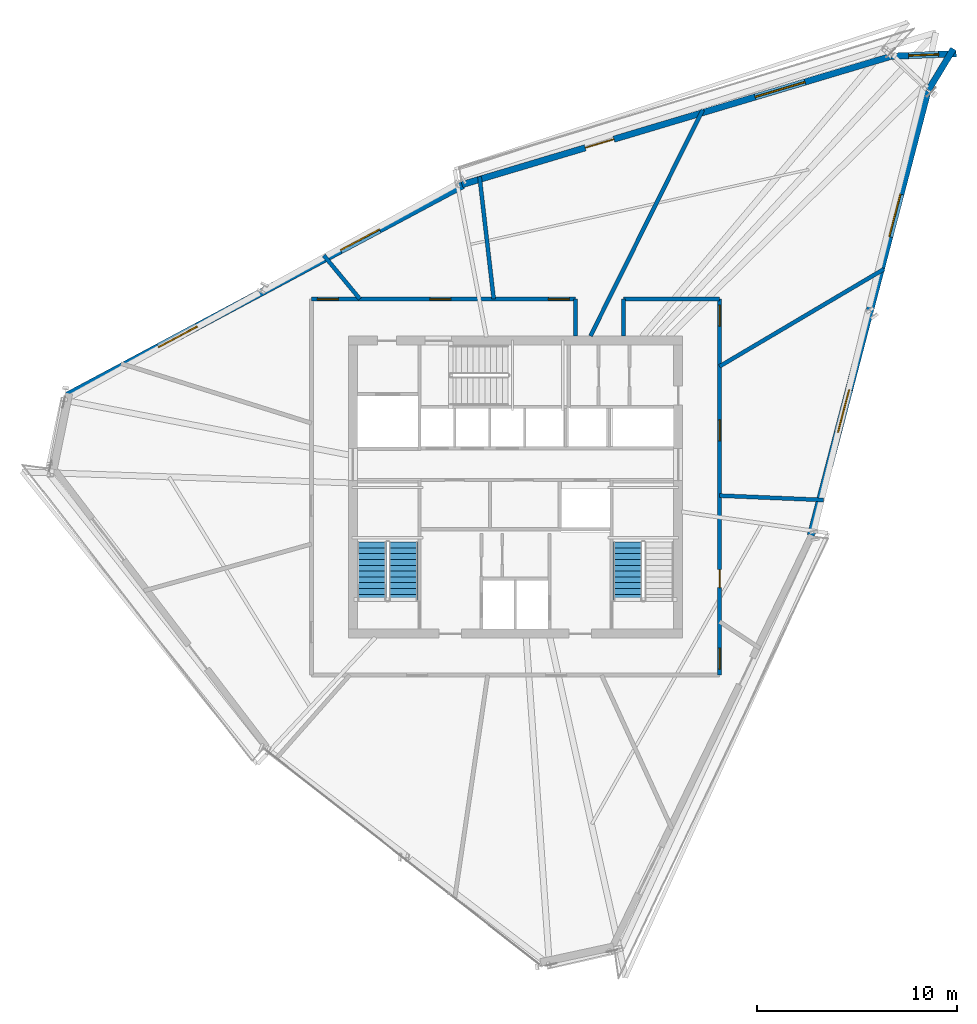
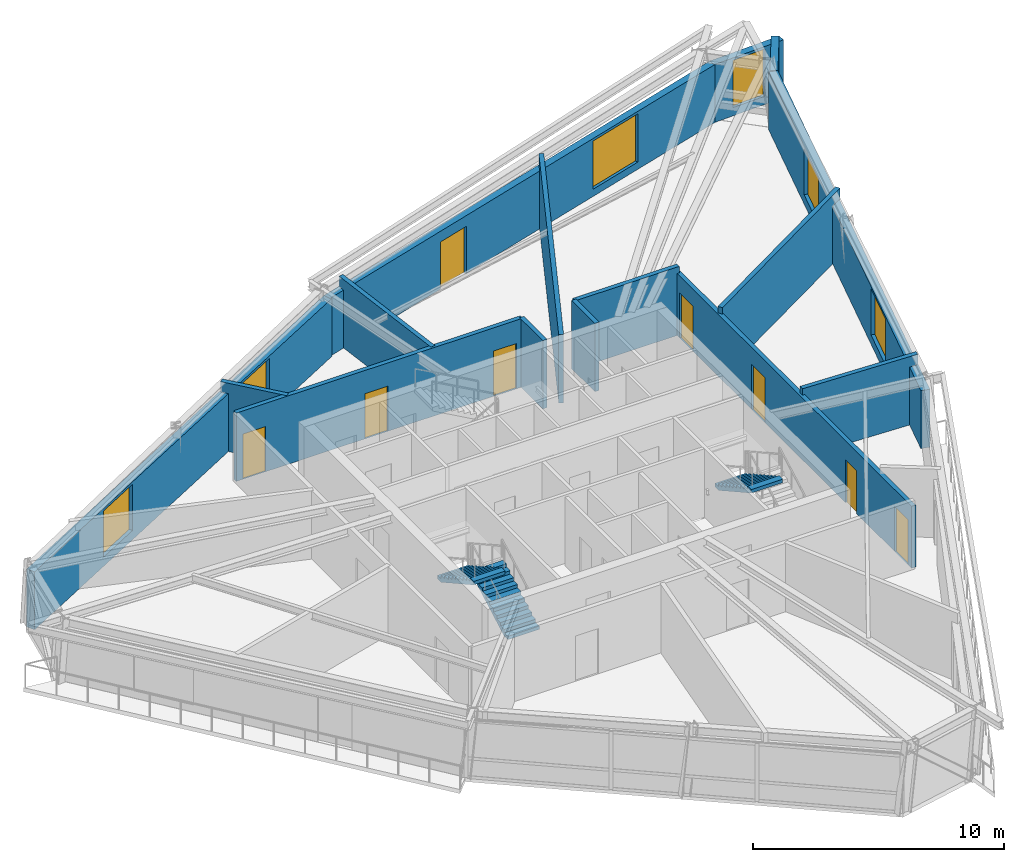
# One storey, part 10 of 14: 15 walls, 8 doors, 6 windows, 3 stair flights, 14 openings, 2 elements without a shape of their own.
"""IFC4 building model written with IfcOpenShell, lengths in metres."""

from ifc_helpers import new_model, si_unit, direction, frame, frame_2d, origin, place, context, subcontext, project, spatial, polyline, rectangle, outline, extrude, source, transform, mapped, material, layer, layer_set, type_object, type_shapes, element, fill, aggregate, save


model = new_model("IFC4")

# Units and contexts
model_context = context("Model", 3, precision=1e-05, world=origin(), true_north=direction((0.0, 1.0)))
body_context = subcontext(model_context, "Body", "Model", "MODEL_VIEW")
ifc_project = project(units=[si_unit("LENGTHUNIT", "METRE"), si_unit("AREAUNIT", "SQUARE_METRE"), si_unit("VOLUMEUNIT", "CUBIC_METRE"), si_unit("PLANEANGLEUNIT", "RADIAN"), si_unit("MASSUNIT", "GRAM", prefix="KILO")], contexts=[model_context])

# Site, building, storey
site_placement = place(None, origin())
site = spatial("IfcSite", under=ifc_project, at=site_placement, CompositionType="ELEMENT")
building_placement = place(site_placement, origin())
building = spatial("IfcBuilding", under=site, at=building_placement, Name="Olszyna Solenne Hotel", CompositionType="ELEMENT")
storey_placement = place(building_placement, frame((0.0, 0.0, 223.800048828125)))
storey = spatial("IfcBuildingStorey", under=building, at=storey_placement, Name="L59", CompositionType="ELEMENT", Elevation=223.800048828125)

# Wall, openings, door, window
ifc_material_1 = material(Name="Precast concrete C45/55", Category="concrete")
ifc_layer_1 = layer(ifc_material_1, 0.320068359375, Name="Precast concrete C45/55")
ifc_layer_set_1 = layer_set([ifc_layer_1], Name="Precast concrete C45/55")
wall_type_1 = type_object("IfcWallType", Name="WL-EX320", PredefinedType="SOLIDWALL", material=ifc_layer_set_1)
wall_1_placement = place(storey_placement, frame((35.327880859375, 41.718017578125, 0.0), z_axis=(0.0, 0.0, 1.0), x_axis=(0.958068349803, 0.286539765313, 0.0)))
wall_1 = element("IfcWall", 1, at=wall_1_placement, inside=storey, type_object=wall_type_1, Name="Exterior terracotta-precast frame wall WL-EX320 EW-L59-07", PredefinedType="SOLIDWALL", context=body_context, shape_type="SweptSolid", body=[
    extrude(rectangle(XDim=22.425537109375, YDim=0.320068359375, at=frame_2d((11.212890625, 0.0))), origin(), (0.0, 0.0, 1.0), 2.822021484375),
])
opening_1_placement = place(wall_1_placement, frame((6.426025390625, 0.0, 0.0)))
opening_1 = element("IfcOpeningElement", 2, at=opening_1_placement, cuts=wall_1, Name="Opening LDG-L59-1", PredefinedType="OPENING", context=body_context, shape_type="SweptSolid", body=[
    extrude(rectangle(XDim=1.5, YDim=2.300048828125, at=frame_2d((0.75, 1.14990234375))), frame((0.0, 0.169921875, 0.0), z_axis=(0.0, -1.0, 0.0), x_axis=(1.0, 0.0, 0.0)), (0.0, 0.0, 1.0), 0.340087890625),
])
opening_2_placement = place(wall_1_placement, frame((15.294921875, 0.0, 0.35205078125)))
opening_2 = element("IfcOpeningElement", 3, at=opening_2_placement, cuts=wall_1, Name="Opening WN-L59-384", PredefinedType="OPENING", context=body_context, shape_type="SweptSolid", body=[
    extrude(rectangle(XDim=2.60009765625, YDim=2.35009765625, at=frame_2d((1.300048828125, 1.175048828125))), frame((0.0, 0.169921875, 0.0), z_axis=(0.0, -1.0, 0.0), x_axis=(1.0, 0.0, 0.0)), (0.0, 0.0, 1.0), 0.340087890625),
])
ifc_material_2 = material(Name="Anodised bronze aluminium", Category="aluminium")
door_type_1 = type_object("IfcDoorType", Name="DR-LG2", OperationType="DOUBLE_DOOR_SINGLE_SWING", PredefinedType="DOOR", material=ifc_material_2)
shared_shape_1 = source(origin(), body_context, "Body", "SweptSolid", [
    extrude(rectangle(XDim=1.5, YDim=2.300048828125, at=frame_2d((0.75, 1.14990234375))), frame((0.0, 0.02490234375, 0.0), z_axis=(0.0, -1.0, 0.0), x_axis=(1.0, 0.0, 0.0)), (0.0, 0.0, 1.0), 0.050048828125),
])
type_shapes(door_type_1, [shared_shape_1])
door_1_placement = place(opening_1_placement, origin())
door_1 = element("IfcDoor", 4, at=door_1_placement, inside=storey, type_object=door_type_1, Name="Exterior loggia balcony door DR-LG2 LDG-L59-1", OperationType="DOUBLE_DOOR_SINGLE_SWING", OverallHeight=2.300048828125, OverallWidth=1.5, PredefinedType="DOOR", context=body_context, shape_type="MappedRepresentation", body=[
    mapped(shared_shape_1, transform((0.0, 0.0, 0.0), x_axis=(1.0, 0.0, 0.0), y_axis=(0.0, 1.0, 0.0), z_axis=(0.0, 0.0, 1.0), scale=1.0)),
])
fill(opening_1, door_1)
ifc_material_3 = material(Name="Low-E triple glazing", Category="glass")
window_type_1 = type_object("IfcWindowType", Name="WN-ST1", PartitioningType="SINGLE_PANEL", PredefinedType="WINDOW", material=ifc_material_3)
shared_shape_2 = source(origin(), body_context, "Body", "SweptSolid", [
    extrude(rectangle(XDim=2.60009765625, YDim=2.35009765625, at=frame_2d((1.300048828125, 1.175048828125))), frame((0.0, 0.030029296875, 0.0), z_axis=(0.0, -1.0, 0.0), x_axis=(1.0, 0.0, 0.0)), (0.0, 0.0, 1.0), 0.06005859375),
])
type_shapes(window_type_1, [shared_shape_2])
window_1_placement = place(opening_2_placement, origin())
window_1 = element("IfcWindow", 5, at=window_1_placement, inside=storey, type_object=window_type_1, Name="Loggia room window WN-ST1 WN-L59-384", OverallHeight=2.35009765625, OverallWidth=2.60009765625, PartitioningType="SINGLE_PANEL", PredefinedType="WINDOW", context=body_context, shape_type="MappedRepresentation", body=[
    mapped(shared_shape_2, transform((0.0, 0.0, 0.0), x_axis=(1.0, 0.0, 0.0), y_axis=(0.0, 1.0, 0.0), z_axis=(0.0, 0.0, 1.0), scale=1.0)),
])
fill(opening_2, window_1)

# Wall, opening, window
wall_2_placement = place(storey_placement, frame((56.773193359375, 48.13720703125, 0.0), z_axis=(0.0, 0.0, 1.0), x_axis=(0.999302372167, 0.03734660603, 0.0)))
wall_2 = element("IfcWall", 6, at=wall_2_placement, inside=storey, type_object=wall_type_1, Name="Exterior terracotta-precast frame wall WL-EX320 EW-L59-08", PredefinedType="SOLIDWALL", context=body_context, shape_type="SweptSolid", body=[
    extrude(rectangle(XDim=3.261962890625, YDim=0.320068359375, at=frame_2d((1.630859375, 0.0))), origin(), (0.0, 0.0, 1.0), 2.822021484375),
])
opening_3_placement = place(wall_2_placement, frame((0.881103515625, 0.0, 0.402099609375)))
opening_3 = element("IfcOpeningElement", 7, at=opening_3_placement, cuts=wall_2, Name="Opening WN-L59-385", PredefinedType="OPENING", context=body_context, shape_type="SweptSolid", body=[
    extrude(rectangle(XDim=1.5, YDim=2.300048828125, at=frame_2d((0.75, 1.14990234375))), frame((0.0, 0.169921875, 0.0), z_axis=(0.0, -1.0, 0.0), x_axis=(1.0, 0.0, 0.0)), (0.0, 0.0, 1.0), 0.340087890625),
])
window_type_2 = type_object("IfcWindowType", Name="WN-CH1", PartitioningType="SINGLE_PANEL", PredefinedType="WINDOW", material=ifc_material_3)
shared_shape_3 = source(origin(), body_context, "Body", "SweptSolid", [
    extrude(rectangle(XDim=1.5, YDim=2.300048828125, at=frame_2d((0.75, 1.14990234375))), frame((0.0, 0.030029296875, 0.0), z_axis=(0.0, -1.0, 0.0), x_axis=(1.0, 0.0, 0.0)), (0.0, 0.0, 1.0), 0.06005859375),
])
type_shapes(window_type_2, [shared_shape_3])
window_2_placement = place(opening_3_placement, origin())
window_2 = element("IfcWindow", 8, at=window_2_placement, inside=storey, type_object=window_type_2, Name="Exterior facade window WN-CH1 WN-L59-385", OverallHeight=2.300048828125, OverallWidth=1.5, PartitioningType="SINGLE_PANEL", PredefinedType="WINDOW", context=body_context, shape_type="MappedRepresentation", body=[
    mapped(shared_shape_3, transform((0.0, 0.0, 0.0), x_axis=(1.0, 0.0, 0.0), y_axis=(0.0, 1.0, 0.0), z_axis=(0.0, 0.0, 1.0), scale=1.0)),
])
fill(opening_3, window_2)

# Wall
wall_3_placement = place(storey_placement, frame((59.89013671875, 48.501953125, 0.0), z_axis=(0.0, 0.0, 1.0), x_axis=(-0.518454432152, -0.855105257721, 0.0)))
element("IfcWall", 9, at=wall_3_placement, inside=storey, type_object=wall_type_1, Name="Exterior terracotta-precast frame wall WL-EX320 EW-L59-09", PredefinedType="SOLIDWALL", context=body_context, shape_type="SweptSolid", body=[
    extrude(rectangle(XDim=2.4091796875, YDim=0.320068359375, at=frame_2d((1.20458984375, 0.0))), origin(), (0.0, 0.0, 1.0), 2.822021484375),
])

# Wall, openings, windows
ifc_material_4 = material(Name="Terracotta cladding on precast concrete C45/55", Category="masonry")
ifc_layer_2 = layer(ifc_material_4, 0.3798828125, Name="Terracotta cladding on precast concrete C45/55")
ifc_layer_set_2 = layer_set([ifc_layer_2], Name="Terracotta cladding on precast concrete C45/55")
wall_type_2 = type_object("IfcWallType", Name="WL-EX380", PredefinedType="SOLIDWALL", material=ifc_layer_set_2)
wall_4_placement = place(storey_placement, frame((15.581298828125, 31.156005859375, 0.0), z_axis=(0.0, 0.0, 1.0), x_axis=(0.882484000586, 0.470342416448, 0.0)))
wall_4 = element("IfcWall", 10, at=wall_4_placement, inside=storey, type_object=wall_type_2, Name="Exterior terracotta-precast frame wall WL-EX380 EW-L59-06", PredefinedType="SOLIDWALL", context=body_context, shape_type="SweptSolid", body=[
    extrude(rectangle(XDim=22.42529296875, YDim=0.3798828125, at=frame_2d((11.212646484375, 0.0))), origin(), (0.0, 0.0, 1.0), 2.822021484375),
])
opening_4_placement = place(wall_4_placement, frame((5.178955078125, 0.0, 0.451904296875)))
opening_4 = element("IfcOpeningElement", 11, at=opening_4_placement, cuts=wall_4, Name="Opening WN-L59-382", PredefinedType="OPENING", context=body_context, shape_type="SweptSolid", body=[
    extrude(rectangle(XDim=2.199951171875, YDim=2.25, at=frame_2d((1.10009765625, 1.125))), frame((0.0, 0.199951171875, 0.0), z_axis=(0.0, -1.0, 0.0), x_axis=(1.0, 0.0, 0.0)), (0.0, 0.0, 1.0), 0.39990234375),
])
opening_5_placement = place(wall_4_placement, frame((15.49609375, 0.0, 0.451904296875)))
opening_5 = element("IfcOpeningElement", 12, at=opening_5_placement, cuts=wall_4, Name="Opening WN-L59-383", PredefinedType="OPENING", context=body_context, shape_type="SweptSolid", body=[
    extrude(rectangle(XDim=2.199951171875, YDim=2.25, at=frame_2d((1.10009765625, 1.125))), frame((0.0, 0.199951171875, 0.0), z_axis=(0.0, -1.0, 0.0), x_axis=(1.0, 0.0, 0.0)), (0.0, 0.0, 1.0), 0.39990234375),
])
window_type_3 = type_object("IfcWindowType", Name="WN-HT2", PartitioningType="SINGLE_PANEL", PredefinedType="WINDOW", material=ifc_material_3)
shared_shape_4 = source(origin(), body_context, "Body", "SweptSolid", [
    extrude(rectangle(XDim=2.199951171875, YDim=2.25, at=frame_2d((1.10009765625, 1.125))), frame((0.0, 0.030029296875, 0.0), z_axis=(0.0, -1.0, 0.0), x_axis=(1.0, 0.0, 0.0)), (0.0, 0.0, 1.0), 0.06005859375),
])
type_shapes(window_type_3, [shared_shape_4])
window_3_placement = place(opening_4_placement, origin())
window_3 = element("IfcWindow", 13, at=window_3_placement, inside=storey, type_object=window_type_3, Name="Exterior facade window WN-HT2 WN-L59-382", OverallHeight=2.25, OverallWidth=2.199951171875, PartitioningType="SINGLE_PANEL", PredefinedType="WINDOW", context=body_context, shape_type="MappedRepresentation", body=[
    mapped(shared_shape_4, transform((0.0, 0.0, 0.0), x_axis=(1.0, 0.0, 0.0), y_axis=(0.0, 1.0, 0.0), z_axis=(0.0, 0.0, 1.0), scale=1.0)),
])
fill(opening_4, window_3)
window_4_placement = place(opening_5_placement, origin())
window_4 = element("IfcWindow", 14, at=window_4_placement, inside=storey, type_object=window_type_3, Name="Exterior facade window WN-HT2 WN-L59-383", OverallHeight=2.25, OverallWidth=2.199951171875, PartitioningType="SINGLE_PANEL", PredefinedType="WINDOW", context=body_context, shape_type="MappedRepresentation", body=[
    mapped(shared_shape_4, transform((0.0, 0.0, 0.0), x_axis=(1.0, 0.0, 0.0), y_axis=(0.0, 1.0, 0.0), z_axis=(0.0, 0.0, 1.0), scale=1.0)),
])
fill(opening_5, window_4)

wall_5_placement = place(storey_placement, frame((58.59423828125, 46.406982421875, 0.0), z_axis=(0.0, 0.0, 1.0), x_axis=(-0.253530518145, -0.96732738841, 0.0)))
wall_5 = element("IfcWall", 15, at=wall_5_placement, inside=storey, type_object=wall_type_2, Name="Exterior terracotta-precast frame wall WL-EX380 EW-L59-10", PredefinedType="SOLIDWALL", context=body_context, shape_type="SweptSolid", body=[
    extrude(rectangle(XDim=22.982177734375, YDim=0.3798828125, at=frame_2d((11.4912109375, 0.0))), origin(), (0.0, 0.0, 1.0), 2.822021484375),
])
opening_6_placement = place(wall_5_placement, frame((5.3349609375, 0.0, 0.451904296875)))
opening_6 = element("IfcOpeningElement", 16, at=opening_6_placement, cuts=wall_5, Name="Opening WN-L59-386", PredefinedType="OPENING", context=body_context, shape_type="SweptSolid", body=[
    extrude(rectangle(XDim=2.199951171875, YDim=2.25, at=frame_2d((1.10009765625, 1.125))), frame((0.0, 0.199951171875, 0.0), z_axis=(0.0, -1.0, 0.0), x_axis=(1.0, 0.0, 0.0)), (0.0, 0.0, 1.0), 0.39990234375),
])
opening_7_placement = place(wall_5_placement, frame((15.447021484375, 0.0, 0.451904296875)))
opening_7 = element("IfcOpeningElement", 17, at=opening_7_placement, cuts=wall_5, Name="Opening WN-L59-387", PredefinedType="OPENING", context=body_context, shape_type="SweptSolid", body=[
    extrude(rectangle(XDim=2.199951171875, YDim=2.25, at=frame_2d((1.10009765625, 1.125))), frame((0.0, 0.199951171875, 0.0), z_axis=(0.0, -1.0, 0.0), x_axis=(1.0, 0.0, 0.0)), (0.0, 0.0, 1.0), 0.39990234375),
])
window_5_placement = place(opening_6_placement, origin())
window_5 = element("IfcWindow", 18, at=window_5_placement, inside=storey, type_object=window_type_3, Name="Exterior facade window WN-HT2 WN-L59-386", OverallHeight=2.25, OverallWidth=2.199951171875, PartitioningType="SINGLE_PANEL", PredefinedType="WINDOW", context=body_context, shape_type="MappedRepresentation", body=[
    mapped(shared_shape_4, transform((0.0, 0.0, 0.0), x_axis=(1.0, 0.0, 0.0), y_axis=(0.0, 1.0, 0.0), z_axis=(0.0, 0.0, 1.0), scale=1.0)),
])
fill(opening_6, window_5)
window_6_placement = place(opening_7_placement, origin())
window_6 = element("IfcWindow", 19, at=window_6_placement, inside=storey, type_object=window_type_3, Name="Exterior facade window WN-HT2 WN-L59-387", OverallHeight=2.25, OverallWidth=2.199951171875, PartitioningType="SINGLE_PANEL", PredefinedType="WINDOW", context=body_context, shape_type="MappedRepresentation", body=[
    mapped(shared_shape_4, transform((0.0, 0.0, 0.0), x_axis=(1.0, 0.0, 0.0), y_axis=(0.0, 1.0, 0.0), z_axis=(0.0, 0.0, 1.0), scale=1.0)),
])
fill(opening_7, window_6)

# Walls
ifc_material_5 = material(Name="Acoustic gypsum partition", Category="gypsum")
ifc_layer_3 = layer(ifc_material_5, 0.199951171875, Name="Acoustic gypsum partition")
ifc_layer_set_3 = layer_set([ifc_layer_3], Name="Acoustic gypsum partition")
wall_type_3 = type_object("IfcWallType", Name="WL-PT200", PredefinedType="PARTITIONING", material=ifc_layer_set_3)
wall_6_placement = place(storey_placement, frame((48.199951171875, 26.172607421875, 0.0), z_axis=(0.0, 0.0, 1.0), x_axis=(0.999121979666, -0.041895939512, 0.0)))
element("IfcWall", 20, at=wall_6_placement, inside=storey, type_object=wall_type_3, Name="Interior acoustic partition WL-PT200 PW-L59-3279", PredefinedType="PARTITIONING", context=body_context, shape_type="SweptSolid", body=[
    extrude(rectangle(XDim=5.203857421875, YDim=0.199951171875, at=frame_2d((2.60205078125, 0.0))), origin(), (0.0, 0.0, 1.0), 3.329833984375),
])
wall_7_placement = place(storey_placement, frame((48.199951171875, 32.63232421875, 0.0), z_axis=(0.0, 0.0, 1.0), x_axis=(0.860740290166, 0.509044352571, 0.0)))
element("IfcWall", 21, at=wall_7_placement, inside=storey, type_object=wall_type_3, Name="Interior acoustic partition WL-PT200 PW-L59-3280", PredefinedType="PARTITIONING", context=body_context, shape_type="SweptSolid", body=[
    extrude(rectangle(XDim=9.5546875, YDim=0.199951171875, at=frame_2d((4.77734375, 0.0))), origin(), (0.0, 0.0, 1.0), 3.329833984375),
])
wall_8_placement = place(storey_placement, frame((41.747802734375, 34.14990234375, 0.0), z_axis=(0.0, 0.0, 1.0), x_axis=(0.44463448422, 0.895712105222, 0.0)))
element("IfcWall", 22, at=wall_8_placement, inside=storey, type_object=wall_type_3, Name="Interior acoustic partition WL-PT200 PW-L59-3281", PredefinedType="PARTITIONING", context=body_context, shape_type="SweptSolid", body=[
    extrude(rectangle(XDim=12.617919921875, YDim=0.199951171875, at=frame_2d((6.30908203125, 0.0))), origin(), (0.0, 0.0, 1.0), 3.329833984375),
])
wall_9_placement = place(storey_placement, frame((36.912353515625, 36.0, 0.0), z_axis=(0.0, 0.0, 1.0), x_axis=(-0.114952203338, 0.993371023811, 0.0)))
element("IfcWall", 23, at=wall_9_placement, inside=storey, type_object=wall_type_3, Name="Interior acoustic partition WL-PT200 PW-L59-3282", PredefinedType="PARTITIONING", context=body_context, shape_type="SweptSolid", body=[
    extrude(rectangle(XDim=6.156982421875, YDim=0.199951171875, at=frame_2d((3.07861328125, 0.0))), origin(), (0.0, 0.0, 1.0), 3.329833984375),
])
wall_10_placement = place(storey_placement, frame((30.2236328125, 36.0, 0.0), z_axis=(0.0, 0.0, 1.0), x_axis=(-0.637396404574, 0.770536062386, 0.0)))
element("IfcWall", 24, at=wall_10_placement, inside=storey, type_object=wall_type_3, Name="Interior acoustic partition WL-PT200 PW-L59-3283", PredefinedType="PARTITIONING", context=body_context, shape_type="SweptSolid", body=[
    extrude(rectangle(XDim=2.829345703125, YDim=0.199951171875, at=frame_2d((1.41455078125, 0.0))), origin(), (0.0, 0.0, 1.0), 3.329833984375),
])

# Wall, openings, doors
wall_11_placement = place(storey_placement, frame((27.800048828125, 36.0, 0.0), z_axis=(0.0, 0.0, 1.0), x_axis=(1.0, 0.0, 0.0)))
wall_11 = element("IfcWall", 25, at=wall_11_placement, inside=storey, type_object=wall_type_3, Name="Interior acoustic partition WL-PT200 PW-L59-3292", PredefinedType="PARTITIONING", context=body_context, shape_type="SweptSolid", body=[
    extrude(rectangle(XDim=13.199951171875, YDim=0.199951171875, at=frame_2d((6.60009765625, 0.0))), origin(), (0.0, 0.0, 1.0), 3.329833984375),
])
opening_8_placement = place(wall_11_placement, frame((11.85009765625, 0.0, 0.0)))
opening_8 = element("IfcOpeningElement", 26, at=opening_8_placement, cuts=wall_11, Name="Opening DR-L59-0799", PredefinedType="OPENING", context=body_context, shape_type="SweptSolid", body=[
    extrude(rectangle(XDim=1.050048828125, YDim=2.199951171875, at=frame_2d((0.52490234375, 1.10009765625))), frame((0.0, 0.10986328125, 0.0), z_axis=(0.0, -1.0, 0.0), x_axis=(1.0, 0.0, 0.0)), (0.0, 0.0, 1.0), 0.219970703125),
])
opening_9_placement = place(wall_11_placement, frame((5.923095703125, 0.0, 0.0)))
opening_9 = element("IfcOpeningElement", 27, at=opening_9_placement, cuts=wall_11, Name="Opening DR-L59-0800", PredefinedType="OPENING", context=body_context, shape_type="SweptSolid", body=[
    extrude(rectangle(XDim=1.050048828125, YDim=2.199951171875, at=frame_2d((0.52490234375, 1.10009765625))), frame((0.0, 0.10986328125, 0.0), z_axis=(0.0, -1.0, 0.0), x_axis=(1.0, 0.0, 0.0)), (0.0, 0.0, 1.0), 0.219970703125),
])
opening_10_placement = place(wall_11_placement, frame((0.300048828125, 0.0, 0.0)))
opening_10 = element("IfcOpeningElement", 28, at=opening_10_placement, cuts=wall_11, Name="Opening DR-L59-0801", PredefinedType="OPENING", context=body_context, shape_type="SweptSolid", body=[
    extrude(rectangle(XDim=1.050048828125, YDim=2.199951171875, at=frame_2d((0.52490234375, 1.10009765625))), frame((0.0, 0.10986328125, 0.0), z_axis=(0.0, -1.0, 0.0), x_axis=(1.0, 0.0, 0.0)), (0.0, 0.0, 1.0), 0.219970703125),
])
ifc_material_6 = material(Name="Timber hardwood", Category="wood")
door_type_2 = type_object("IfcDoorType", Name="DR-RM2", OperationType="NOTDEFINED", PredefinedType="DOOR", material=ifc_material_6)
shared_shape_5 = source(origin(), body_context, "Body", "SweptSolid", [
    extrude(rectangle(XDim=1.050048828125, YDim=2.199951171875, at=frame_2d((0.52490234375, 1.10009765625))), frame((0.0, 0.02490234375, 0.0), z_axis=(0.0, -1.0, 0.0), x_axis=(1.0, 0.0, 0.0)), (0.0, 0.0, 1.0), 0.050048828125),
])
type_shapes(door_type_2, [shared_shape_5])
door_2_placement = place(opening_8_placement, origin())
door_2 = element("IfcDoor", 29, at=door_2_placement, inside=storey, type_object=door_type_2, Name="Private Business Office Entrance Door DR-L59-0799", OperationType="SINGLE_SWING_RIGHT", OverallHeight=2.199951171875, OverallWidth=1.050048828125, PredefinedType="DOOR", context=body_context, shape_type="MappedRepresentation", body=[
    mapped(shared_shape_5, transform((0.0, 0.0, 0.0), x_axis=(1.0, 0.0, 0.0), y_axis=(0.0, 1.0, 0.0), z_axis=(0.0, 0.0, 1.0), scale=1.0)),
])
fill(opening_8, door_2)
door_3_placement = place(opening_9_placement, origin())
door_3 = element("IfcDoor", 30, at=door_3_placement, inside=storey, type_object=door_type_2, Name="Private Business Office Entrance Door DR-L59-0800", OperationType="SINGLE_SWING_LEFT", OverallHeight=2.199951171875, OverallWidth=1.050048828125, PredefinedType="DOOR", context=body_context, shape_type="MappedRepresentation", body=[
    mapped(shared_shape_5, transform((0.0, 0.0, 0.0), x_axis=(1.0, 0.0, 0.0), y_axis=(0.0, 1.0, 0.0), z_axis=(0.0, 0.0, 1.0), scale=1.0)),
])
fill(opening_9, door_3)
door_4_placement = place(opening_10_placement, origin())
door_4 = element("IfcDoor", 31, at=door_4_placement, inside=storey, type_object=door_type_2, Name="Private Business Office Entrance Door DR-L59-0801", OperationType="SINGLE_SWING_RIGHT", OverallHeight=2.199951171875, OverallWidth=1.050048828125, PredefinedType="DOOR", context=body_context, shape_type="MappedRepresentation", body=[
    mapped(shared_shape_5, transform((0.0, 0.0, 0.0), x_axis=(1.0, 0.0, 0.0), y_axis=(0.0, 1.0, 0.0), z_axis=(0.0, 0.0, 1.0), scale=1.0)),
])
fill(opening_10, door_4)

# Walls
wall_12_placement = place(storey_placement, frame((41.0, 34.14990234375, 0.0), z_axis=(0.0, 0.0, 1.0), x_axis=(0.0, 1.0, 0.0)))
element("IfcWall", 32, at=wall_12_placement, inside=storey, type_object=wall_type_3, Name="Interior acoustic partition WL-PT200 PW-L59-3293", PredefinedType="PARTITIONING", context=body_context, shape_type="SweptSolid", body=[
    extrude(rectangle(XDim=1.85009765625, YDim=0.199951171875, at=frame_2d((0.925048828125, 0.0))), origin(), (0.0, 0.0, 1.0), 3.329833984375),
])
wall_13_placement = place(storey_placement, frame((43.39990234375, 36.0, 0.0), z_axis=(0.0, 0.0, 1.0), x_axis=(1.0, 0.0, 0.0)))
element("IfcWall", 33, at=wall_13_placement, inside=storey, type_object=wall_type_3, Name="Interior acoustic partition WL-PT200 PW-L59-3294", PredefinedType="PARTITIONING", context=body_context, shape_type="SweptSolid", body=[
    extrude(rectangle(XDim=4.800048828125, YDim=0.199951171875, at=frame_2d((2.39990234375, 0.0))), origin(), (0.0, 0.0, 1.0), 3.329833984375),
])
wall_14_placement = place(storey_placement, frame((43.39990234375, 34.14990234375, 0.0), z_axis=(0.0, 0.0, 1.0), x_axis=(0.0, 1.0, 0.0)))
element("IfcWall", 34, at=wall_14_placement, inside=storey, type_object=wall_type_3, Name="Interior acoustic partition WL-PT200 PW-L59-3295", PredefinedType="PARTITIONING", context=body_context, shape_type="SweptSolid", body=[
    extrude(rectangle(XDim=1.85009765625, YDim=0.199951171875, at=frame_2d((0.925048828125, 0.0))), origin(), (0.0, 0.0, 1.0), 3.329833984375),
])

# Wall, openings, doors
wall_15_placement = place(storey_placement, frame((48.199951171875, 17.199951171875, 0.0), z_axis=(0.0, 0.0, 1.0), x_axis=(0.0, 1.0, 0.0)))
wall_15 = element("IfcWall", 35, at=wall_15_placement, inside=storey, type_object=wall_type_3, Name="Interior acoustic partition WL-PT200 PW-L59-3296", PredefinedType="PARTITIONING", context=body_context, shape_type="SweptSolid", body=[
    extrude(rectangle(XDim=18.800048828125, YDim=0.199951171875, at=frame_2d((9.39990234375, 0.0))), origin(), (0.0, 0.0, 1.0), 3.014892578125),
])
opening_11_placement = place(wall_15_placement, frame((11.705078125, 0.0, 0.0)))
opening_11 = element("IfcOpeningElement", 36, at=opening_11_placement, cuts=wall_15, Name="Opening DR-L59-0802", PredefinedType="OPENING", context=body_context, shape_type="SweptSolid", body=[
    extrude(rectangle(XDim=1.050048828125, YDim=2.199951171875, at=frame_2d((0.52490234375, 1.10009765625))), frame((0.0, 0.10986328125, 0.0), z_axis=(0.0, -1.0, 0.0), x_axis=(1.0, 0.0, 0.0)), (0.0, 0.0, 1.0), 0.219970703125),
])
opening_12_placement = place(wall_15_placement, frame((17.449951171875, 0.0, 0.0)))
opening_12 = element("IfcOpeningElement", 37, at=opening_12_placement, cuts=wall_15, Name="Opening DR-L59-0803", PredefinedType="OPENING", context=body_context, shape_type="SweptSolid", body=[
    extrude(rectangle(XDim=1.050048828125, YDim=2.199951171875, at=frame_2d((0.52490234375, 1.10009765625))), frame((0.0, 0.10986328125, 0.0), z_axis=(0.0, -1.0, 0.0), x_axis=(1.0, 0.0, 0.0)), (0.0, 0.0, 1.0), 0.219970703125),
])
opening_13_placement = place(wall_15_placement, frame((0.300048828125, 0.0, 0.0)))
opening_13 = element("IfcOpeningElement", 38, at=opening_13_placement, cuts=wall_15, Name="Opening DR-L59-0804", PredefinedType="OPENING", context=body_context, shape_type="SweptSolid", body=[
    extrude(rectangle(XDim=1.050048828125, YDim=2.199951171875, at=frame_2d((0.52490234375, 1.10009765625))), frame((0.0, 0.10986328125, 0.0), z_axis=(0.0, -1.0, 0.0), x_axis=(1.0, 0.0, 0.0)), (0.0, 0.0, 1.0), 0.219970703125),
])
opening_14_placement = place(wall_15_placement, frame((4.376953125, 0.0, 0.0)))
opening_14 = element("IfcOpeningElement", 39, at=opening_14_placement, cuts=wall_15, Name="Opening DR-L59-0805", PredefinedType="OPENING", context=body_context, shape_type="SweptSolid", body=[
    extrude(rectangle(XDim=0.89990234375, YDim=2.10009765625, at=frame_2d((0.449951171875, 1.050048828125))), frame((0.0, 0.10986328125, 0.0), z_axis=(0.0, -1.0, 0.0), x_axis=(1.0, 0.0, 0.0)), (0.0, 0.0, 1.0), 0.219970703125),
])
door_type_3 = type_object("IfcDoorType", Name="DR-WC1", OperationType="NOTDEFINED", PredefinedType="DOOR", material=ifc_material_6)
shared_shape_6 = source(origin(), body_context, "Body", "SweptSolid", [
    extrude(rectangle(XDim=0.89990234375, YDim=2.10009765625, at=frame_2d((0.449951171875, 1.050048828125))), frame((0.0, 0.02490234375, 0.0), z_axis=(0.0, -1.0, 0.0), x_axis=(1.0, 0.0, 0.0)), (0.0, 0.0, 1.0), 0.050048828125),
])
type_shapes(door_type_3, [shared_shape_6])
door_5_placement = place(opening_14_placement, origin())
door_5 = element("IfcDoor", 40, at=door_5_placement, inside=storey, type_object=door_type_3, Name="Accessible Public WC Entrance Door DR-L59-0805", OperationType="SINGLE_SWING_RIGHT", OverallHeight=2.10009765625, OverallWidth=0.89990234375, PredefinedType="DOOR", context=body_context, shape_type="MappedRepresentation", body=[
    mapped(shared_shape_6, transform((0.0, 0.0, 0.0), x_axis=(1.0, 0.0, 0.0), y_axis=(0.0, 1.0, 0.0), z_axis=(0.0, 0.0, 1.0), scale=1.0)),
])
fill(opening_14, door_5)
door_6_placement = place(opening_11_placement, origin())
door_6 = element("IfcDoor", 41, at=door_6_placement, inside=storey, type_object=door_type_2, Name="Private Business Office Entrance Door DR-L59-0802", OperationType="SINGLE_SWING_RIGHT", OverallHeight=2.199951171875, OverallWidth=1.050048828125, PredefinedType="DOOR", context=body_context, shape_type="MappedRepresentation", body=[
    mapped(shared_shape_5, transform((0.0, 0.0, 0.0), x_axis=(1.0, 0.0, 0.0), y_axis=(0.0, 1.0, 0.0), z_axis=(0.0, 0.0, 1.0), scale=1.0)),
])
fill(opening_11, door_6)
door_7_placement = place(opening_12_placement, origin())
door_7 = element("IfcDoor", 42, at=door_7_placement, inside=storey, type_object=door_type_2, Name="Private Business Office Entrance Door DR-L59-0803", OperationType="SINGLE_SWING_LEFT", OverallHeight=2.199951171875, OverallWidth=1.050048828125, PredefinedType="DOOR", context=body_context, shape_type="MappedRepresentation", body=[
    mapped(shared_shape_5, transform((0.0, 0.0, 0.0), x_axis=(1.0, 0.0, 0.0), y_axis=(0.0, 1.0, 0.0), z_axis=(0.0, 0.0, 1.0), scale=1.0)),
])
fill(opening_12, door_7)
door_8_placement = place(opening_13_placement, origin())
door_8 = element("IfcDoor", 43, at=door_8_placement, inside=storey, type_object=door_type_2, Name="Conference Boardroom Entrance Door DR-L59-0804", OperationType="SINGLE_SWING_LEFT", OverallHeight=2.199951171875, OverallWidth=1.050048828125, PredefinedType="DOOR", context=body_context, shape_type="MappedRepresentation", body=[
    mapped(shared_shape_5, transform((0.0, 0.0, 0.0), x_axis=(1.0, 0.0, 0.0), y_axis=(0.0, 1.0, 0.0), z_axis=(0.0, 0.0, 1.0), scale=1.0)),
])
fill(opening_13, door_8)

# Stair, stair flights
ifc_material_7 = material(Name="Concrete C40/50", Category="concrete")
stair_type = type_object("IfcStairType", Name="STR-C1", PredefinedType="TWO_QUARTER_WINDING_STAIR", material=ifc_material_7)
stair_1_placement = place(storey_placement, origin())
stair_1 = element("IfcStair", 44, at=stair_1_placement, inside=storey, type_object=stair_type, Name="L59 ST1", PredefinedType="TWO_QUARTER_WINDING_STAIR")
stair_flight_type = type_object("IfcStairFlightType", Name="FLT-C1", PredefinedType="STRAIGHT", material=ifc_material_7)
stair_flight_1_placement = place(storey_placement, frame((32.39501953125, 20.949951171875, 0.0), z_axis=(0.0, 0.0, 1.0), x_axis=(0.0, 1.0, 0.0)))
stair_flight_1 = element("IfcStairFlight", 45, at=stair_flight_1_placement, type_object=stair_flight_type, Name="ST1 flight 1", NumberOfRisers=11, NumberOfTreads=10, PredefinedType="STRAIGHT", RiserHeight=0.161363636, TreadLength=0.29, context=body_context, shape_type="SweptSolid", body=[
    extrude(outline(polyline([(0.0, 0.0), (0.0, 0.161376953125), (0.2900390625, 0.161376953125), (0.2900390625, 0.32275390625), (0.580078125, 0.32275390625), (0.580078125, 0.484130859375), (0.8701171875, 0.484130859375), (0.8701171875, 0.6455078125), (1.159912109375, 0.6455078125), (1.159912109375, 0.806884765625), (1.449951171875, 0.806884765625), (1.449951171875, 0.96826171875), (1.739990234375, 0.96826171875), (1.739990234375, 1.129638671875), (2.030029296875, 1.129638671875), (2.030029296875, 1.291015625), (2.320068359375, 1.291015625), (2.320068359375, 1.452392578125), (2.610107421875, 1.452392578125), (2.610107421875, 1.613525390625), (2.89990234375, 1.613525390625), (2.89990234375, 1.77490234375), (2.89990234375, 1.442138671875), (0.308349609375, 0.0), (0.0, 0.0)])), frame((0.0, 0.72509765625, 0.0), z_axis=(0.0, -1.0, 0.0), x_axis=(1.0, 0.0, 0.0)), (0.0, 0.0, 1.0), 1.449951171875),
])
stair_flight_2_placement = place(storey_placement, frame((30.824951171875, 23.85009765625, 1.77490234375), z_axis=(0.0, 0.0, 1.0), x_axis=(0.0, -1.0, 0.0)))
stair_flight_2 = element("IfcStairFlight", 46, at=stair_flight_2_placement, type_object=stair_flight_type, Name="ST1 flight 2", NumberOfRisers=11, NumberOfTreads=10, PredefinedType="STRAIGHT", RiserHeight=0.161363636, TreadLength=0.29, context=body_context, shape_type="SweptSolid", body=[
    extrude(outline(polyline([(0.0, 0.0), (0.0, 0.161376953125), (0.2900390625, 0.161376953125), (0.2900390625, 0.32275390625), (0.580078125, 0.32275390625), (0.580078125, 0.484130859375), (0.8701171875, 0.484130859375), (0.8701171875, 0.6455078125), (1.159912109375, 0.6455078125), (1.159912109375, 0.806884765625), (1.449951171875, 0.806884765625), (1.449951171875, 0.96826171875), (1.739990234375, 0.96826171875), (1.739990234375, 1.129638671875), (2.030029296875, 1.129638671875), (2.030029296875, 1.291015625), (2.320068359375, 1.291015625), (2.320068359375, 1.452392578125), (2.610107421875, 1.452392578125), (2.610107421875, 1.613525390625), (2.89990234375, 1.613525390625), (2.89990234375, 1.77490234375), (2.89990234375, 1.442138671875), (0.308349609375, 0.0), (0.0, 0.0)])), frame((0.0, 0.72509765625, 0.0), z_axis=(0.0, -1.0, 0.0), x_axis=(1.0, 0.0, 0.0)), (0.0, 0.0, 1.0), 1.449951171875),
])
aggregate(stair_1, [stair_flight_1, stair_flight_2])

# Stair, stair flight
stair_2_placement = place(storey_placement, origin())
stair_2 = element("IfcStair", 47, at=stair_2_placement, inside=storey, type_object=stair_type, Name="L59 ST2", PredefinedType="TWO_QUARTER_WINDING_STAIR")
stair_flight_3_placement = place(storey_placement, frame((43.60498046875, 23.85009765625, 1.77490234375), z_axis=(0.0, 0.0, 1.0), x_axis=(0.0, -1.0, 0.0)))
stair_flight_3 = element("IfcStairFlight", 48, at=stair_flight_3_placement, type_object=stair_flight_type, Name="ST2 flight 2", NumberOfRisers=11, NumberOfTreads=10, PredefinedType="STRAIGHT", RiserHeight=0.161363636, TreadLength=0.29, context=body_context, shape_type="SweptSolid", body=[
    extrude(outline(polyline([(0.0, 0.0), (0.0, 0.161376953125), (0.2900390625, 0.161376953125), (0.2900390625, 0.32275390625), (0.580078125, 0.32275390625), (0.580078125, 0.484130859375), (0.8701171875, 0.484130859375), (0.8701171875, 0.6455078125), (1.159912109375, 0.6455078125), (1.159912109375, 0.806884765625), (1.449951171875, 0.806884765625), (1.449951171875, 0.96826171875), (1.739990234375, 0.96826171875), (1.739990234375, 1.129638671875), (2.030029296875, 1.129638671875), (2.030029296875, 1.291015625), (2.320068359375, 1.291015625), (2.320068359375, 1.452392578125), (2.610107421875, 1.452392578125), (2.610107421875, 1.613525390625), (2.89990234375, 1.613525390625), (2.89990234375, 1.77490234375), (2.89990234375, 1.442138671875), (0.308349609375, 0.0), (0.0, 0.0)])), frame((0.0, 0.72509765625, 0.0), z_axis=(0.0, -1.0, 0.0), x_axis=(1.0, 0.0, 0.0)), (0.0, 0.0, 1.0), 1.449951171875),
])
aggregate(stair_2, [stair_flight_3])

save(model, "model.ifc")
